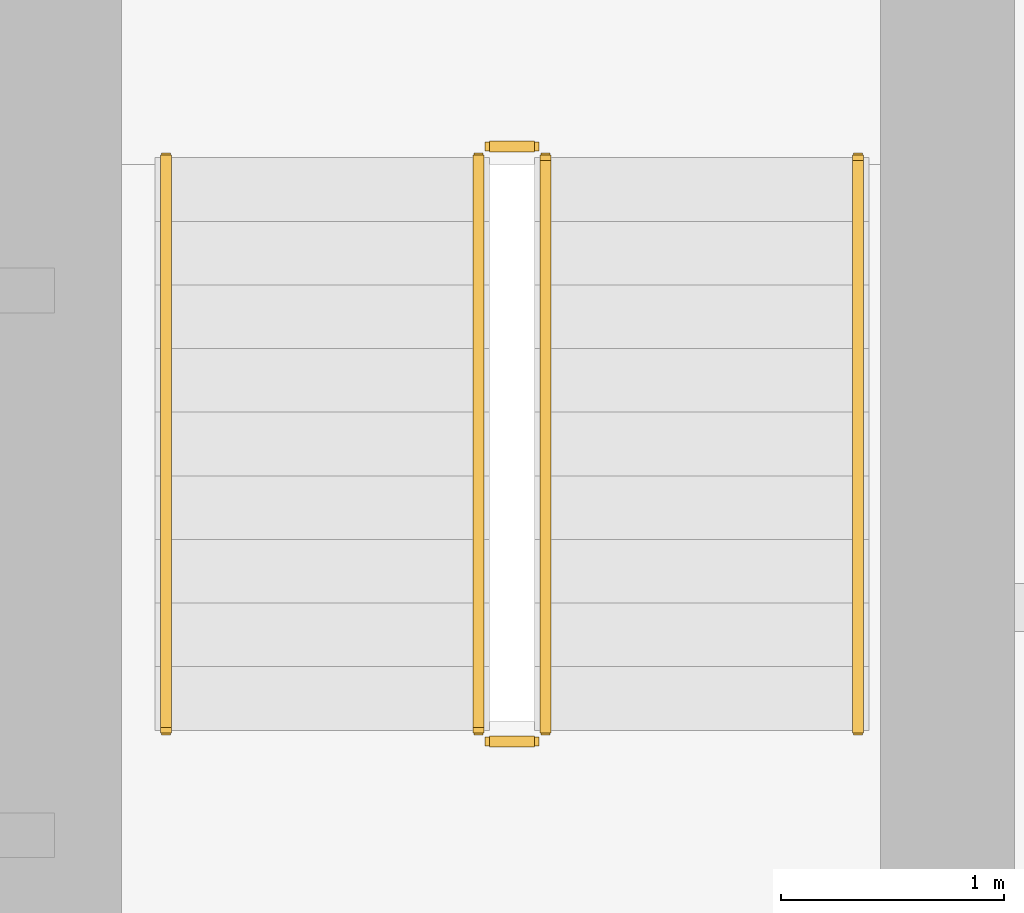
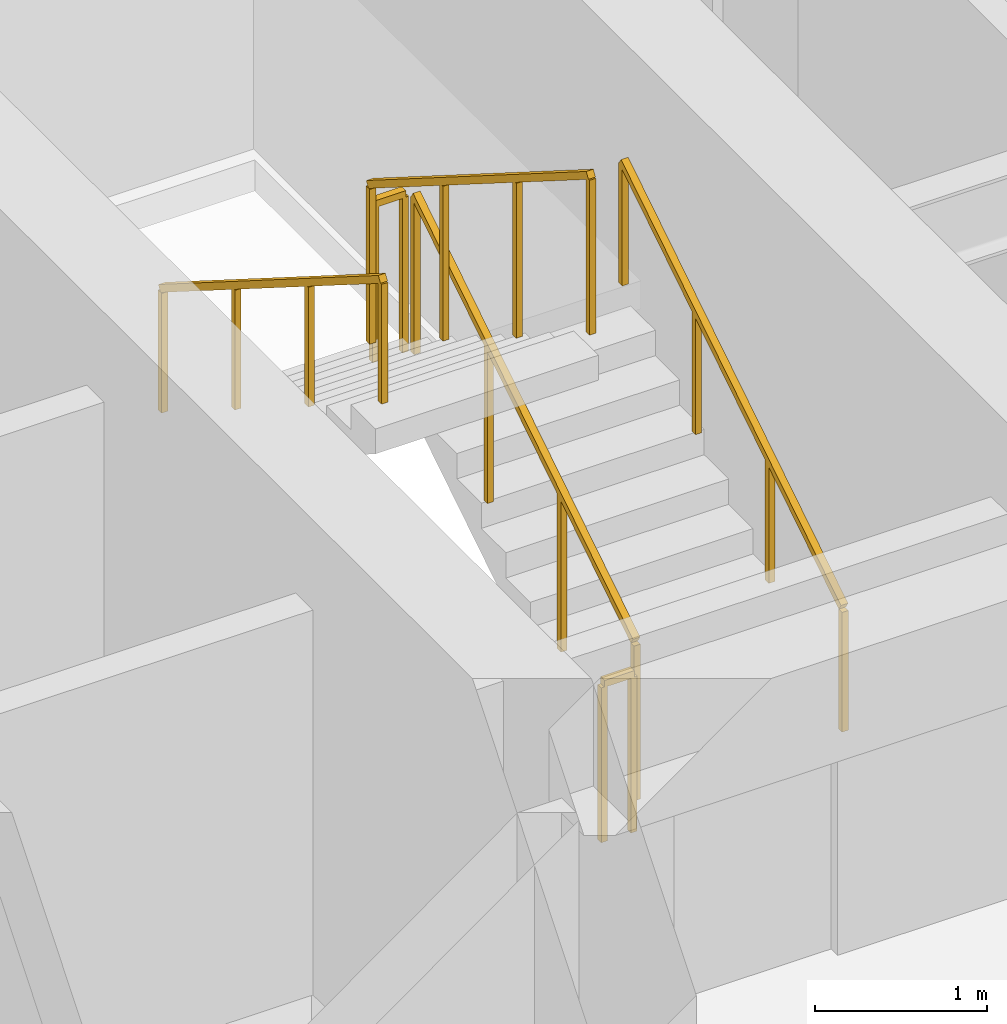
# One storey, part 28 of 28: 6 railings.
"""IFC4 building model written with IfcOpenShell, lengths in metres."""

from ifc_helpers import new_model, si_unit, direction, frame, origin, origin_2d, place, context, subcontext, project, spatial, rectangle, extrude, material, type_object, element, save


model = new_model("IFC4")

# Units and contexts
model_context = context("Model", 3, precision=1e-05, world=origin(), true_north=direction((0.0, 1.0)))
body_context = subcontext(model_context, "Body", "Model", "MODEL_VIEW")
ifc_project = project(units=[si_unit("LENGTHUNIT", "METRE"), si_unit("AREAUNIT", "SQUARE_METRE"), si_unit("VOLUMEUNIT", "CUBIC_METRE"), si_unit("PLANEANGLEUNIT", "RADIAN"), si_unit("MASSUNIT", "GRAM", prefix="KILO")], contexts=[model_context])

# Site, building, storey
site_placement = place(None, origin())
site = spatial("IfcSite", under=ifc_project, at=site_placement, CompositionType="ELEMENT")
building_placement = place(site_placement, origin())
building = spatial("IfcBuilding", under=site, at=building_placement, Name="Sarneth Arch Tower", CompositionType="ELEMENT")
storey_placement = place(building_placement, frame((0.0, 0.0, 31.800048828125)))
storey = spatial("IfcBuildingStorey", under=building, at=storey_placement, Name="L06", CompositionType="ELEMENT", Elevation=31.800048828125)

# Railings
ifc_material_1 = material(Name="Brushed Stainless Steel 304 tubular handrail", Category="steel")
railing_type_1 = type_object("IfcRailingType", Name="RAIL-HANDRAIL-900", PredefinedType="HANDRAIL", material=ifc_material_1)
railing_1_placement = place(storey_placement, frame((58.60009765625, 41.449951171875, 0.179931640625)))
element("IfcRailing", 1, at=railing_1_placement, inside=storey, type_object=railing_type_1, Name="L06 ST-2 stair handrail 1", PredefinedType="HANDRAIL", context=body_context, shape_type="SweptSolid", body=[
    extrude(rectangle(XDim=0.048095703125, YDim=0.048095703125, at=origin_2d()), frame((0.0, 0.0, 0.8759765625), z_axis=(0.0, 0.845465955043, 0.534029323973), x_axis=(-1.0, 0.0, 0.0)), (0.0, 0.0, 1.0), 3.03369140625),
    extrude(rectangle(XDim=0.0419921875, YDim=0.0419921875, at=origin_2d()), origin(), (0.0, 0.0, 1.0), 0.851806640625),
    extrude(rectangle(XDim=0.0419921875, YDim=0.0419921875, at=origin_2d()), frame((0.0, 0.85498046875, 0.5400390625)), (0.0, 0.0, 1.0), 0.851806640625),
    extrude(rectangle(XDim=0.0419921875, YDim=0.0419921875, at=origin_2d()), frame((0.0, 1.7099609375, 1.080078125)), (0.0, 0.0, 1.0), 0.851806640625),
    extrude(rectangle(XDim=0.0419921875, YDim=0.0419921875, at=origin_2d()), frame((0.0, 2.56494140625, 1.6201171875)), (0.0, 0.0, 1.0), 0.851806640625),
])
railing_2_placement = place(storey_placement, frame((55.5, 44.014892578125, 1.97998046875)))
element("IfcRailing", 2, at=railing_2_placement, inside=storey, type_object=railing_type_1, Name="L06 ST-2 stair handrail 2", PredefinedType="HANDRAIL", context=body_context, shape_type="SweptSolid", body=[
    extrude(rectangle(XDim=0.048095703125, YDim=0.048095703125, at=origin_2d()), frame((0.0, 0.0, 0.8759765625), z_axis=(0.0, -0.845502289212, 0.533971796014), x_axis=(1.0, 0.0, 0.0)), (0.0, 0.0, 1.0), 3.03369140625),
    extrude(rectangle(XDim=0.0419921875, YDim=0.0419921875, at=origin_2d()), origin(), (0.0, 0.0, 1.0), 0.851806640625),
    extrude(rectangle(XDim=0.0419921875, YDim=0.0419921875, at=origin_2d()), frame((0.0, -0.85498046875, 0.5400390625)), (0.0, 0.0, 1.0), 0.851806640625),
    extrude(rectangle(XDim=0.0419921875, YDim=0.0419921875, at=origin_2d()), frame((0.0, -1.7099609375, 1.079833984375)), (0.0, 0.0, 1.0), 0.851806640625),
    extrude(rectangle(XDim=0.0419921875, YDim=0.0419921875, at=origin_2d()), frame((0.0, -2.56494140625, 1.619873046875)), (0.0, 0.0, 1.0), 0.851806640625),
])
ifc_material_2 = material(Name="Painted Steel S275 stair well guard", Category="steel")
railing_type_2 = type_object("IfcRailingType", Name="RAIL-STAIR-GUARD", PredefinedType="GUARDRAIL", material=ifc_material_2)
railing_3_placement = place(storey_placement, frame((57.199951171875, 41.449951171875, 0.179931640625)))
element("IfcRailing", 3, at=railing_3_placement, inside=storey, type_object=railing_type_2, Name="L06 ST-2 stair guard 1", PredefinedType="GUARDRAIL", context=body_context, shape_type="SweptSolid", body=[
    extrude(rectangle(XDim=0.048095703125, YDim=0.048095703125, at=origin_2d()), frame((0.0, 0.0, 1.1259765625), z_axis=(0.0, 0.845465955043, 0.534029323973), x_axis=(-1.0, 0.0, 0.0)), (0.0, 0.0, 1.0), 3.03369140625),
    extrude(rectangle(XDim=0.0419921875, YDim=0.0419921875, at=origin_2d()), origin(), (0.0, 0.0, 1.0), 1.101806640625),
    extrude(rectangle(XDim=0.0419921875, YDim=0.0419921875, at=origin_2d()), frame((0.0, 0.85498046875, 0.5400390625)), (0.0, 0.0, 1.0), 1.101806640625),
    extrude(rectangle(XDim=0.0419921875, YDim=0.0419921875, at=origin_2d()), frame((0.0, 1.7099609375, 1.080078125)), (0.0, 0.0, 1.0), 1.101806640625),
    extrude(rectangle(XDim=0.0419921875, YDim=0.0419921875, at=origin_2d()), frame((0.0, 2.56494140625, 1.6201171875)), (0.0, 0.0, 1.0), 1.101806640625),
])
railing_4_placement = place(storey_placement, frame((57.14990234375, 44.06494140625, 1.800048828125)))
element("IfcRailing", 4, at=railing_4_placement, inside=storey, type_object=railing_type_2, Name="L06 ST-2 stair guard 2", PredefinedType="GUARDRAIL", context=body_context, shape_type="SweptSolid", body=[
    extrude(rectangle(XDim=0.048095703125, YDim=0.048095703125, at=origin_2d()), frame((0.0, 0.0, 1.1259765625), z_axis=(-1.0, 0.0, 0.0), x_axis=(0.0, -1.0, 0.0)), (0.0, 0.0, 1.0), 0.199951171875),
    extrude(rectangle(XDim=0.0419921875, YDim=0.0419921875, at=origin_2d()), origin(), (0.0, 0.0, 1.0), 1.101806640625),
    extrude(rectangle(XDim=0.0419921875, YDim=0.0419921875, at=origin_2d()), frame((-0.199951171875, 0.0, 0.0)), (0.0, 0.0, 1.0), 1.101806640625),
])
railing_5_placement = place(storey_placement, frame((56.89990234375, 44.014892578125, 1.97998046875)))
element("IfcRailing", 5, at=railing_5_placement, inside=storey, type_object=railing_type_2, Name="L06 ST-2 stair guard 3", PredefinedType="GUARDRAIL", context=body_context, shape_type="SweptSolid", body=[
    extrude(rectangle(XDim=0.048095703125, YDim=0.048095703125, at=origin_2d()), frame((0.0, 0.0, 1.1259765625), z_axis=(0.0, -0.845502289212, 0.533971796014), x_axis=(1.0, 0.0, 0.0)), (0.0, 0.0, 1.0), 3.03369140625),
    extrude(rectangle(XDim=0.0419921875, YDim=0.0419921875, at=origin_2d()), origin(), (0.0, 0.0, 1.0), 1.101806640625),
    extrude(rectangle(XDim=0.0419921875, YDim=0.0419921875, at=origin_2d()), frame((0.0, -0.85498046875, 0.5400390625)), (0.0, 0.0, 1.0), 1.101806640625),
    extrude(rectangle(XDim=0.0419921875, YDim=0.0419921875, at=origin_2d()), frame((0.0, -1.7099609375, 1.079833984375)), (0.0, 0.0, 1.0), 1.101806640625),
    extrude(rectangle(XDim=0.0419921875, YDim=0.0419921875, at=origin_2d()), frame((0.0, -2.56494140625, 1.619873046875)), (0.0, 0.0, 1.0), 1.101806640625),
])
railing_6_placement = place(storey_placement, frame((57.14990234375, 41.39990234375, 0.0)))
element("IfcRailing", 6, at=railing_6_placement, inside=storey, type_object=railing_type_2, Name="L06 ST-2 stair guard 4", PredefinedType="GUARDRAIL", context=body_context, shape_type="SweptSolid", body=[
    extrude(rectangle(XDim=0.048095703125, YDim=0.048095703125, at=origin_2d()), frame((0.0, 0.0, 1.1259765625), z_axis=(-1.0, 0.0, 0.0), x_axis=(0.0, -1.0, 0.0)), (0.0, 0.0, 1.0), 0.199951171875),
    extrude(rectangle(XDim=0.0419921875, YDim=0.0419921875, at=origin_2d()), origin(), (0.0, 0.0, 1.0), 1.101806640625),
    extrude(rectangle(XDim=0.0419921875, YDim=0.0419921875, at=origin_2d()), frame((-0.199951171875, 0.0, 0.0)), (0.0, 0.0, 1.0), 1.101806640625),
])

save(model, "model.ifc")
